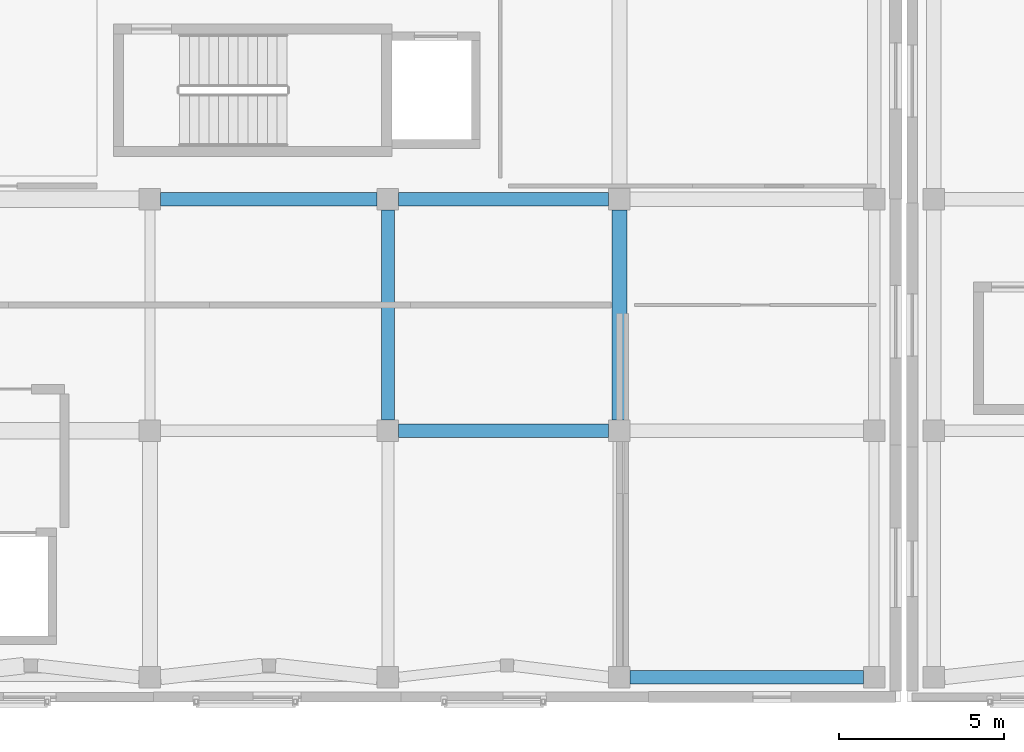
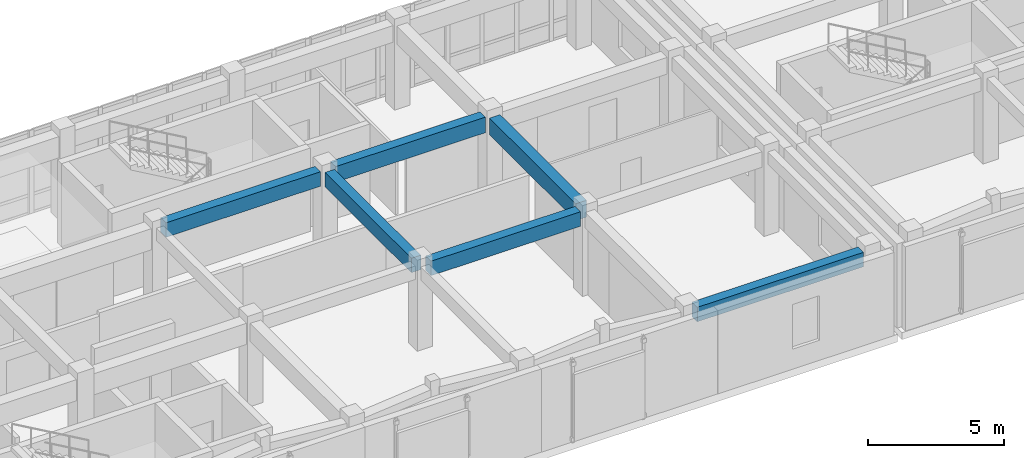
# One storey, part 26 of 146: 6 beams.
"""IFC4 building model written with IfcOpenShell, lengths in metres."""

import ifcopenshell
import ifcopenshell.guid

model = None  # the IFC model being written
_history = None  # IfcOwnerHistory: only IFC2X3 demands one
_inside = {}  # id of a spatial element -> (the spatial element, [elements in it])
_under = {}  # id of a project, library or spatial element -> (it, [spatial elements below it])
_declared = {}  # id of a project -> (the project, [libraries it declares])
_typed = {}  # id of a type object -> (the type object, [elements of that type])
_made_of = {}  # id of a material, layer set ... -> (it, [elements and type objects made of it])


def new_model(schema):
    """Start an empty IFC model of exactly this schema.

    Asked for "IFC4X3", IfcOpenShell would pick the latest addendum, in which some entities
    have other attributes; the version numbers below select the first issue.
    IFC2X3 requires an IfcOwnerHistory on every rooted entity: one is made here for all.
    """
    global model, _history
    if schema == "IFC4X3":
        model = ifcopenshell.file(schema_version=(4, 3, 0, 0))
    else:
        model = ifcopenshell.file(schema=schema)
    _inside.clear()
    _under.clear()
    _declared.clear()
    _typed.clear()
    _made_of.clear()
    _history = None
    if model.schema == "IFC2X3":
        org = make("IfcOrganization", Name="unknown")
        user = make(
            "IfcPersonAndOrganization",
            ThePerson=make("IfcPerson", FamilyName="unknown"),
            TheOrganization=org,
        )
        app = make(
            "IfcApplication",
            ApplicationDeveloper=org,
            Version="unknown",
            ApplicationFullName="unknown",
            ApplicationIdentifier="unknown",
        )
        _history = make(
            "IfcOwnerHistory",
            OwningUser=user,
            OwningApplication=app,
            ChangeAction="ADDED",
            CreationDate=0,
        )
    return model


def make(cls, **values):
    """One entity of the class cls with the attributes given. An attribute that is None is left unset."""
    return model.create_entity(
        cls, **{name: value for name, value in values.items() if value is not None}
    )


def rooted(cls, **values):
    """An entity with a GlobalId (a new one), such as an element, a storey or a relation."""
    return make(cls, GlobalId=ifcopenshell.guid.new(), OwnerHistory=_history, **values)


def si_unit(unit_type, name, prefix=None):
    """IfcSIUnit, for example si_unit("LENGTHUNIT", "METRE", prefix="MILLI")."""
    return make("IfcSIUnit", UnitType=unit_type, Prefix=prefix, Name=name)


def assignment(units):
    """IfcUnitAssignment: the units of a project."""
    return None if units is None else make("IfcUnitAssignment", Units=units)


def point(xyz):
    """IfcCartesianPoint."""
    return None if xyz is None else make("IfcCartesianPoint", Coordinates=xyz)


def direction(xyz):
    """IfcDirection."""
    return None if xyz is None else make("IfcDirection", DirectionRatios=xyz)


def frame(location, z_axis=None, x_axis=None):
    """IfcAxis2Placement3D, a coordinate frame: its origin and axes. An axis left out is left unset."""
    return make(
        "IfcAxis2Placement3D",
        Location=point(location),
        Axis=direction(z_axis),
        RefDirection=direction(x_axis),
    )


def frame_2d(location, x_axis=None):
    """IfcAxis2Placement2D, a coordinate frame in the plane: its origin and x axis."""
    return make(
        "IfcAxis2Placement2D", Location=point(location), RefDirection=direction(x_axis)
    )


def origin():
    """The frame at (0, 0, 0) with its axes left unset."""
    return frame((0.0, 0.0, 0.0))


def origin_2d():
    """The frame at (0, 0) in the plane with its x axis left unset."""
    return frame_2d((0.0, 0.0))


def place(relative_to, where):
    """IfcLocalPlacement: puts the frame where relative to a parent placement (None: the world)."""
    return make(
        "IfcLocalPlacement", PlacementRelTo=relative_to, RelativePlacement=where
    )


def context(
    kind, dimensions, precision=None, world=None, true_north=None, identifier=None
):
    """IfcGeometricRepresentationContext, for example the 3D "Model" context."""
    return make(
        "IfcGeometricRepresentationContext",
        ContextIdentifier=identifier,
        ContextType=kind,
        CoordinateSpaceDimension=dimensions,
        Precision=precision,
        WorldCoordinateSystem=world,
        TrueNorth=true_north,
    )


def subcontext(parent, identifier, kind, view, scale=None):
    """IfcGeometricRepresentationSubContext, for example "Body" below "Model"."""
    return make(
        "IfcGeometricRepresentationSubContext",
        ContextIdentifier=identifier,
        ContextType=kind,
        ParentContext=parent,
        TargetScale=scale,
        TargetView=view,
    )


def project(units=None, contexts=None):
    """IfcProject with its units and contexts."""
    return rooted(
        "IfcProject",
        Name="project",
        RepresentationContexts=contexts,
        UnitsInContext=assignment(units),
    )


def spatial(cls, under=None, at=None, **own):
    """A site, building, storey or space (cls), placed at a placement, below another one or the project."""
    s = rooted(cls, ObjectPlacement=at, **own)
    if under is not None:
        _under.setdefault(under.id(), (under, []))[1].append(s)
    return s


def profile(cls, at=None, kind="AREA", **sizes):
    """A parametric profile (cls). Its sizes go by their IFC names, for example OverallWidth=200.0."""
    return make(cls, ProfileType=kind, Position=at, **sizes)


def rectangle(**sizes):
    """IfcRectangleProfileDef."""
    return profile("IfcRectangleProfileDef", **sizes)


def extrude(swept, where, along, depth):
    """IfcExtrudedAreaSolid: the profile swept, set in the frame where, extruded along a direction by depth."""
    return make(
        "IfcExtrudedAreaSolid",
        SweptArea=swept,
        Position=where,
        ExtrudedDirection=direction(along),
        Depth=depth,
    )


def shape(context_of_items, identifier, shape_type, items):
    """IfcShapeRepresentation: the items that make up one representation, for example the "Body"."""
    return make(
        "IfcShapeRepresentation",
        ContextOfItems=context_of_items,
        RepresentationIdentifier=identifier,
        RepresentationType=shape_type,
        Items=items,
    )


def material(Name=None, Category=None):
    """IfcMaterial."""
    return make("IfcMaterial", Name=Name, Category=Category)


def material_profile(
    of_material, cross_section, Name=None, Category=None, Priority=None
):
    """IfcMaterialProfile: a cross section and its material."""
    return make(
        "IfcMaterialProfile",
        Name=Name,
        Material=of_material,
        Profile=cross_section,
        Priority=Priority,
        Category=Category,
    )


def profile_set(profiles, Name=None, composite=None):
    """IfcMaterialProfileSet."""
    return make(
        "IfcMaterialProfileSet",
        Name=Name,
        MaterialProfiles=profiles,
        CompositeProfile=composite,
    )


def made_of(thing, what):
    """Note that an element or type object is made of a material, layer set ...; save() writes the relation."""
    if what is not None:
        _made_of.setdefault(what.id(), (what, []))[1].append(thing)
    return thing


def type_object(cls, material=None, **own):
    """A type object (cls), such as IfcWallType, which elements share."""
    return made_of(rooted(cls, **own), material)


def element(
    cls,
    number,
    at=None,
    inside=None,
    cuts=None,
    type_object=None,
    material=None,
    context=None,
    identifier="Body",
    shape_type=None,
    held_by="IfcProductDefinitionShape",
    body=None,
    shapes=None,
    **own,
):
    """One element of the class cls, such as IfcWall. Its Tag is "e" and its number.

    at: its placement. inside: the storey or other place that contains it. cuts: it is an
    opening in that element (IfcRelVoidsElement). A single representation is given by context,
    identifier, shape_type and body (its items); several are given by shapes. held_by: the class
    of the entity that holds the representations. save() writes the other relations.
    """
    e = rooted(cls, Tag="e%d" % number, ObjectPlacement=at, **own)
    if body is not None:
        shapes = [shape(context, identifier, shape_type, body)]
    if shapes is not None:
        e.Representation = make(held_by, Representations=shapes)
    if inside is not None:
        _inside.setdefault(inside.id(), (inside, []))[1].append(e)
    if cuts is not None:
        rooted(
            "IfcRelVoidsElement", RelatingBuildingElement=cuts, RelatedOpeningElement=e
        )
    if type_object is not None:
        _typed.setdefault(type_object.id(), (type_object, []))[1].append(e)
    return made_of(e, material)


def aggregate(whole, parts):
    """IfcRelAggregates: a whole, such as a stair, and the parts it consists of."""
    return rooted("IfcRelAggregates", RelatingObject=whole, RelatedObjects=parts)


def save(model, path):
    """Write the relations noted so far, then the file.

    IfcRelAggregates (storeys below a building ...), IfcRelContainedInSpatialStructure (elements
    in a storey), IfcRelDefinesByType, IfcRelAssociatesMaterial and IfcRelDeclares: one each for
    every whole, place, type object, material and project.
    """
    for whole, parts in _under.values():
        aggregate(whole, parts)
    for where, things in _inside.values():
        rooted(
            "IfcRelContainedInSpatialStructure",
            RelatedElements=things,
            RelatingStructure=where,
        )
    for kind, things in _typed.values():
        rooted("IfcRelDefinesByType", RelatedObjects=things, RelatingType=kind)
    for what, things in _made_of.values():
        rooted("IfcRelAssociatesMaterial", RelatedObjects=things, RelatingMaterial=what)
    for by, libraries in _declared.values():
        rooted("IfcRelDeclares", RelatingContext=by, RelatedDefinitions=libraries)
    model.write(path)


model = new_model("IFC4")

# Units and contexts
model_context = context("Model", 3, precision=1e-05, world=origin(), true_north=direction((0.0, 1.0)))
body_context = subcontext(model_context, "Body", "Model", "MODEL_VIEW")
ifc_project = project(units=[si_unit("LENGTHUNIT", "METRE"), si_unit("AREAUNIT", "SQUARE_METRE"), si_unit("VOLUMEUNIT", "CUBIC_METRE"), si_unit("PLANEANGLEUNIT", "RADIAN"), si_unit("MASSUNIT", "GRAM", prefix="KILO")], contexts=[model_context])

# Site, building, storey
site_placement = place(None, origin())
site = spatial("IfcSite", under=ifc_project, at=site_placement, CompositionType="ELEMENT")
building_placement = place(site_placement, origin())
building = spatial("IfcBuilding", under=site, at=building_placement, Name="Valcora Specialist Clinic", CompositionType="ELEMENT")
storey_placement = place(building_placement, frame((0.0, 0.0, 9.52001953125)))
storey = spatial("IfcBuildingStorey", under=building, at=storey_placement, Name="L02", CompositionType="ELEMENT", Elevation=9.52001953125)

# Beams
ifc_material = material(Name="Concrete C40/50", Category="concrete")
ifc_material_profile_1 = material_profile(ifc_material, rectangle(XDim=0.39990234375, YDim=0.64990234375, at=origin_2d()), Name="RC-BM-400X650")
ifc_profile_set_1 = profile_set([ifc_material_profile_1], Name="Concrete C40/50")
beam_type_1 = type_object("IfcBeamType", Name="TY-BM-RC400X650", PredefinedType="BEAM", material=ifc_profile_set_1)
beam_1_placement = place(storey_placement, frame((45.125, 0.75, 3.409912109375), z_axis=(1.0, 0.0, 0.0), x_axis=(0.0, 1.0, 0.0)))
element("IfcBeam", 1, at=beam_1_placement, inside=storey, type_object=beam_type_1, Name="Beam BM-L02-0987", PredefinedType="BEAM", context=body_context, shape_type="SweptSolid", body=[
    extrude(rectangle(XDim=0.39990234375, YDim=0.64990234375, at=origin_2d()), origin(), (0.0, 0.0, 1.0), 7.050048828125),
])
beam_2_placement = place(storey_placement, frame((38.125, 8.199951171875, 3.409912109375), z_axis=(1.0, 0.0, 0.0), x_axis=(0.0, 1.0, 0.0)))
element("IfcBeam", 2, at=beam_2_placement, inside=storey, type_object=beam_type_1, Name="Beam BM-L02-0993", PredefinedType="BEAM", context=body_context, shape_type="SweptSolid", body=[
    extrude(rectangle(XDim=0.39990234375, YDim=0.64990234375, at=origin_2d()), origin(), (0.0, 0.0, 1.0), 6.35009765625),
])
beam_3_placement = place(storey_placement, frame((30.925048828125, 15.199951171875, 3.409912109375), z_axis=(1.0, 0.0, 0.0), x_axis=(0.0, 1.0, 0.0)))
element("IfcBeam", 3, at=beam_3_placement, inside=storey, type_object=beam_type_1, Name="Beam BM-L02-0999", PredefinedType="BEAM", context=body_context, shape_type="SweptSolid", body=[
    extrude(rectangle(XDim=0.39990234375, YDim=0.64990234375, at=origin_2d()), origin(), (0.0, 0.0, 1.0), 6.550048828125),
])
beam_4_placement = place(storey_placement, frame((37.800048828125, 8.52490234375, 3.409912109375), z_axis=(0.0, 1.0, 0.0), x_axis=(-1.0, 0.0, 0.0)))
element("IfcBeam", 4, at=beam_4_placement, inside=storey, type_object=beam_type_1, Name="Beam BM-L02-1021", PredefinedType="BEAM", context=body_context, shape_type="SweptSolid", body=[
    extrude(rectangle(XDim=0.39990234375, YDim=0.64990234375, at=origin_2d()), origin(), (0.0, 0.0, 1.0), 6.35009765625),
])
ifc_material_profile_2 = material_profile(ifc_material, rectangle(XDim=0.39990234375, YDim=0.699951171875, at=origin_2d()), Name="RC-BM-400X700")
ifc_profile_set_2 = profile_set([ifc_material_profile_2], Name="Concrete C40/50")
beam_type_2 = type_object("IfcBeamType", Name="TY-BM-RC400X700", PredefinedType="BEAM", material=ifc_profile_set_2)
beam_5_placement = place(storey_placement, frame((38.125, 15.199951171875, 3.385009765625), z_axis=(1.0, 0.0, 0.0), x_axis=(0.0, 1.0, 0.0)))
element("IfcBeam", 5, at=beam_5_placement, inside=storey, type_object=beam_type_2, Name="Beam BM-L02-1000", PredefinedType="BEAM", context=body_context, shape_type="SweptSolid", body=[
    extrude(rectangle(XDim=0.39990234375, YDim=0.699951171875, at=origin_2d()), origin(), (0.0, 0.0, 1.0), 6.35009765625),
])
ifc_material_profile_3 = material_profile(ifc_material, rectangle(XDim=0.449951171875, YDim=0.75, at=origin_2d()), Name="RC-BM-450X750")
ifc_profile_set_3 = profile_set([ifc_material_profile_3], Name="Concrete C40/50")
beam_type_3 = type_object("IfcBeamType", Name="TY-BM-RC450X750", PredefinedType="BEAM", material=ifc_profile_set_3)
beam_6_placement = place(storey_placement, frame((44.800048828125, 8.52490234375, 3.35986328125), z_axis=(0.0, 1.0, 0.0), x_axis=(-1.0, 0.0, 0.0)))
element("IfcBeam", 6, at=beam_6_placement, inside=storey, type_object=beam_type_3, Name="Beam BM-L02-1023", PredefinedType="BEAM", context=body_context, shape_type="SweptSolid", body=[
    extrude(rectangle(XDim=0.449951171875, YDim=0.75, at=origin_2d()), origin(), (0.0, 0.0, 1.0), 6.35009765625),
])

save(model, "model.ifc")
